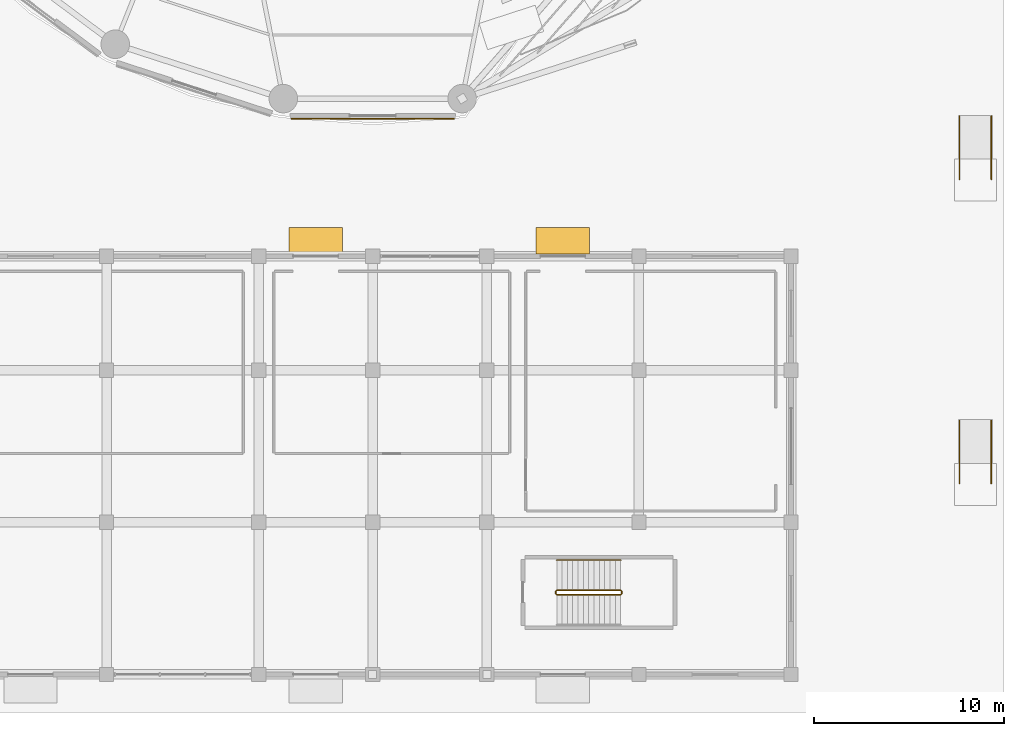
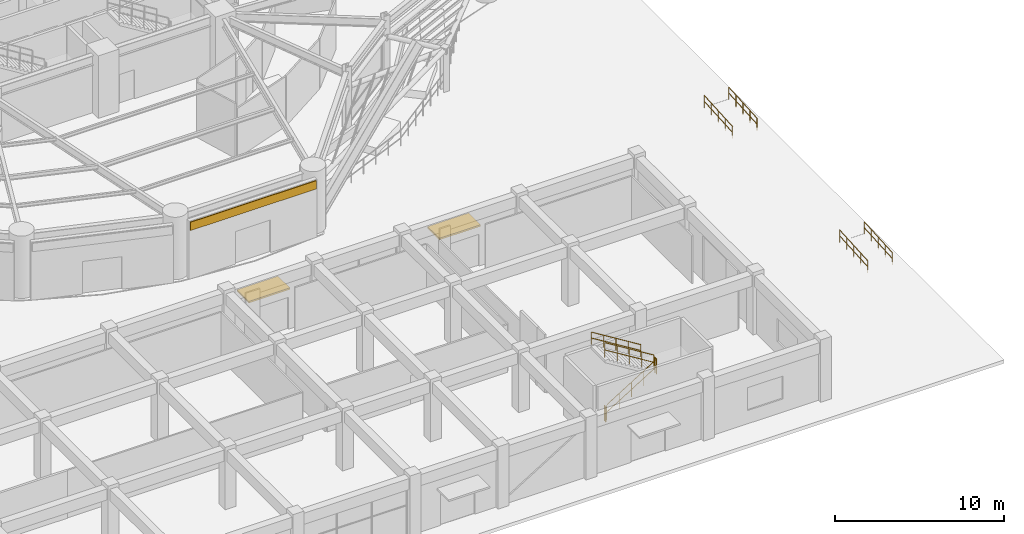
# One storey, part 35 of 40: 9 railings, 2 shading devices, 1 covering.
"""IFC4 building model written with IfcOpenShell, lengths in metres."""

import ifcopenshell
import ifcopenshell.guid

model = None  # the IFC model being written
_history = None  # IfcOwnerHistory: only IFC2X3 demands one
_inside = {}  # id of a spatial element -> (the spatial element, [elements in it])
_under = {}  # id of a project, library or spatial element -> (it, [spatial elements below it])
_declared = {}  # id of a project -> (the project, [libraries it declares])
_typed = {}  # id of a type object -> (the type object, [elements of that type])
_made_of = {}  # id of a material, layer set ... -> (it, [elements and type objects made of it])


def new_model(schema):
    """Start an empty IFC model of exactly this schema.

    Asked for "IFC4X3", IfcOpenShell would pick the latest addendum, in which some entities
    have other attributes; the version numbers below select the first issue.
    IFC2X3 requires an IfcOwnerHistory on every rooted entity: one is made here for all.
    """
    global model, _history
    if schema == "IFC4X3":
        model = ifcopenshell.file(schema_version=(4, 3, 0, 0))
    else:
        model = ifcopenshell.file(schema=schema)
    _inside.clear()
    _under.clear()
    _declared.clear()
    _typed.clear()
    _made_of.clear()
    _history = None
    if model.schema == "IFC2X3":
        org = make("IfcOrganization", Name="unknown")
        user = make(
            "IfcPersonAndOrganization",
            ThePerson=make("IfcPerson", FamilyName="unknown"),
            TheOrganization=org,
        )
        app = make(
            "IfcApplication",
            ApplicationDeveloper=org,
            Version="unknown",
            ApplicationFullName="unknown",
            ApplicationIdentifier="unknown",
        )
        _history = make(
            "IfcOwnerHistory",
            OwningUser=user,
            OwningApplication=app,
            ChangeAction="ADDED",
            CreationDate=0,
        )
    return model


def make(cls, **values):
    """One entity of the class cls with the attributes given. An attribute that is None is left unset."""
    return model.create_entity(
        cls, **{name: value for name, value in values.items() if value is not None}
    )


def rooted(cls, **values):
    """An entity with a GlobalId (a new one), such as an element, a storey or a relation."""
    return make(cls, GlobalId=ifcopenshell.guid.new(), OwnerHistory=_history, **values)


def si_unit(unit_type, name, prefix=None):
    """IfcSIUnit, for example si_unit("LENGTHUNIT", "METRE", prefix="MILLI")."""
    return make("IfcSIUnit", UnitType=unit_type, Prefix=prefix, Name=name)


def assignment(units):
    """IfcUnitAssignment: the units of a project."""
    return None if units is None else make("IfcUnitAssignment", Units=units)


def point(xyz):
    """IfcCartesianPoint."""
    return None if xyz is None else make("IfcCartesianPoint", Coordinates=xyz)


def direction(xyz):
    """IfcDirection."""
    return None if xyz is None else make("IfcDirection", DirectionRatios=xyz)


def frame(location, z_axis=None, x_axis=None):
    """IfcAxis2Placement3D, a coordinate frame: its origin and axes. An axis left out is left unset."""
    return make(
        "IfcAxis2Placement3D",
        Location=point(location),
        Axis=direction(z_axis),
        RefDirection=direction(x_axis),
    )


def frame_2d(location, x_axis=None):
    """IfcAxis2Placement2D, a coordinate frame in the plane: its origin and x axis."""
    return make(
        "IfcAxis2Placement2D", Location=point(location), RefDirection=direction(x_axis)
    )


def origin():
    """The frame at (0, 0, 0) with its axes left unset."""
    return frame((0.0, 0.0, 0.0))


def origin_2d():
    """The frame at (0, 0) in the plane with its x axis left unset."""
    return frame_2d((0.0, 0.0))


def place(relative_to, where):
    """IfcLocalPlacement: puts the frame where relative to a parent placement (None: the world)."""
    return make(
        "IfcLocalPlacement", PlacementRelTo=relative_to, RelativePlacement=where
    )


def context(
    kind, dimensions, precision=None, world=None, true_north=None, identifier=None
):
    """IfcGeometricRepresentationContext, for example the 3D "Model" context."""
    return make(
        "IfcGeometricRepresentationContext",
        ContextIdentifier=identifier,
        ContextType=kind,
        CoordinateSpaceDimension=dimensions,
        Precision=precision,
        WorldCoordinateSystem=world,
        TrueNorth=true_north,
    )


def subcontext(parent, identifier, kind, view, scale=None):
    """IfcGeometricRepresentationSubContext, for example "Body" below "Model"."""
    return make(
        "IfcGeometricRepresentationSubContext",
        ContextIdentifier=identifier,
        ContextType=kind,
        ParentContext=parent,
        TargetScale=scale,
        TargetView=view,
    )


def project(units=None, contexts=None):
    """IfcProject with its units and contexts."""
    return rooted(
        "IfcProject",
        Name="project",
        RepresentationContexts=contexts,
        UnitsInContext=assignment(units),
    )


def spatial(cls, under=None, at=None, **own):
    """A site, building, storey or space (cls), placed at a placement, below another one or the project."""
    s = rooted(cls, ObjectPlacement=at, **own)
    if under is not None:
        _under.setdefault(under.id(), (under, []))[1].append(s)
    return s


def polyline(points):
    """IfcPolyline through the points."""
    return make("IfcPolyline", Points=[point(p) for p in points])


def profile(cls, at=None, kind="AREA", **sizes):
    """A parametric profile (cls). Its sizes go by their IFC names, for example OverallWidth=200.0."""
    return make(cls, ProfileType=kind, Position=at, **sizes)


def rectangle(**sizes):
    """IfcRectangleProfileDef."""
    return profile("IfcRectangleProfileDef", **sizes)


def outline(outer, holes=None, kind="AREA"):
    """IfcArbitraryClosedProfileDef: a profile drawn as a closed curve; with holes, ...WithVoids."""
    if holes is None:
        return make("IfcArbitraryClosedProfileDef", ProfileType=kind, OuterCurve=outer)
    return make(
        "IfcArbitraryProfileDefWithVoids",
        ProfileType=kind,
        OuterCurve=outer,
        InnerCurves=holes,
    )


def extrude(swept, where, along, depth):
    """IfcExtrudedAreaSolid: the profile swept, set in the frame where, extruded along a direction by depth."""
    return make(
        "IfcExtrudedAreaSolid",
        SweptArea=swept,
        Position=where,
        ExtrudedDirection=direction(along),
        Depth=depth,
    )


def shape(context_of_items, identifier, shape_type, items):
    """IfcShapeRepresentation: the items that make up one representation, for example the "Body"."""
    return make(
        "IfcShapeRepresentation",
        ContextOfItems=context_of_items,
        RepresentationIdentifier=identifier,
        RepresentationType=shape_type,
        Items=items,
    )


def source(mapping_origin, context_of_items, identifier, shape_type, items):
    """IfcRepresentationMap: a shape defined once, which mapped items show again and again."""
    return make(
        "IfcRepresentationMap",
        MappingOrigin=mapping_origin,
        MappedRepresentation=shape(context_of_items, identifier, shape_type, items),
    )


def transform(
    local_origin,
    x_axis=None,
    y_axis=None,
    z_axis=None,
    scale=None,
    scale2=None,
    scale3=None,
    uniform=True,
):
    """IfcCartesianTransformationOperator3D, or its non-uniform kind. x_axis, y_axis, z_axis: its Axis1, 2, 3."""
    if uniform:
        return make(
            "IfcCartesianTransformationOperator3D",
            Axis1=direction(x_axis),
            Axis2=direction(y_axis),
            LocalOrigin=point(local_origin),
            Scale=scale,
            Axis3=direction(z_axis),
        )
    return make(
        "IfcCartesianTransformationOperator3DnonUniform",
        Axis1=direction(x_axis),
        Axis2=direction(y_axis),
        LocalOrigin=point(local_origin),
        Scale=scale,
        Axis3=direction(z_axis),
        Scale2=scale2,
        Scale3=scale3,
    )


def mapped(mapping_source, mapping_target):
    """IfcMappedItem: shows the shape of a source again, moved by a transform."""
    return make(
        "IfcMappedItem", MappingSource=mapping_source, MappingTarget=mapping_target
    )


def material(Name=None, Category=None):
    """IfcMaterial."""
    return make("IfcMaterial", Name=Name, Category=Category)


def layer(
    of_material, thickness, ventilated=None, Name=None, Category=None, Priority=None
):
    """IfcMaterialLayer: one layer of a wall or slab, of a material (None: an air gap)."""
    return make(
        "IfcMaterialLayer",
        Material=of_material,
        LayerThickness=thickness,
        IsVentilated=ventilated,
        Name=Name,
        Category=Category,
        Priority=Priority,
    )


def layer_set(layers, Name=None):
    """IfcMaterialLayerSet."""
    return make("IfcMaterialLayerSet", MaterialLayers=layers, LayerSetName=Name)


def made_of(thing, what):
    """Note that an element or type object is made of a material, layer set ...; save() writes the relation."""
    if what is not None:
        _made_of.setdefault(what.id(), (what, []))[1].append(thing)
    return thing


def type_object(cls, material=None, **own):
    """A type object (cls), such as IfcWallType, which elements share."""
    return made_of(rooted(cls, **own), material)


def element(
    cls,
    number,
    at=None,
    inside=None,
    cuts=None,
    type_object=None,
    material=None,
    context=None,
    identifier="Body",
    shape_type=None,
    held_by="IfcProductDefinitionShape",
    body=None,
    shapes=None,
    **own,
):
    """One element of the class cls, such as IfcWall. Its Tag is "e" and its number.

    at: its placement. inside: the storey or other place that contains it. cuts: it is an
    opening in that element (IfcRelVoidsElement). A single representation is given by context,
    identifier, shape_type and body (its items); several are given by shapes. held_by: the class
    of the entity that holds the representations. save() writes the other relations.
    """
    e = rooted(cls, Tag="e%d" % number, ObjectPlacement=at, **own)
    if body is not None:
        shapes = [shape(context, identifier, shape_type, body)]
    if shapes is not None:
        e.Representation = make(held_by, Representations=shapes)
    if inside is not None:
        _inside.setdefault(inside.id(), (inside, []))[1].append(e)
    if cuts is not None:
        rooted(
            "IfcRelVoidsElement", RelatingBuildingElement=cuts, RelatedOpeningElement=e
        )
    if type_object is not None:
        _typed.setdefault(type_object.id(), (type_object, []))[1].append(e)
    return made_of(e, material)


def aggregate(whole, parts):
    """IfcRelAggregates: a whole, such as a stair, and the parts it consists of."""
    return rooted("IfcRelAggregates", RelatingObject=whole, RelatedObjects=parts)


def save(model, path):
    """Write the relations noted so far, then the file.

    IfcRelAggregates (storeys below a building ...), IfcRelContainedInSpatialStructure (elements
    in a storey), IfcRelDefinesByType, IfcRelAssociatesMaterial and IfcRelDeclares: one each for
    every whole, place, type object, material and project.
    """
    for whole, parts in _under.values():
        aggregate(whole, parts)
    for where, things in _inside.values():
        rooted(
            "IfcRelContainedInSpatialStructure",
            RelatedElements=things,
            RelatingStructure=where,
        )
    for kind, things in _typed.values():
        rooted("IfcRelDefinesByType", RelatedObjects=things, RelatingType=kind)
    for what, things in _made_of.values():
        rooted("IfcRelAssociatesMaterial", RelatedObjects=things, RelatingMaterial=what)
    for by, libraries in _declared.values():
        rooted("IfcRelDeclares", RelatingContext=by, RelatedDefinitions=libraries)
    model.write(path)


model = new_model("IFC4")

# Units and contexts
model_context = context("Model", 3, precision=1e-05, world=origin(), true_north=direction((0.0, 1.0)))
body_context = subcontext(model_context, "Body", "Model", "MODEL_VIEW")
ifc_project = project(units=[si_unit("LENGTHUNIT", "METRE"), si_unit("AREAUNIT", "SQUARE_METRE"), si_unit("VOLUMEUNIT", "CUBIC_METRE"), si_unit("PLANEANGLEUNIT", "RADIAN"), si_unit("MASSUNIT", "GRAM", prefix="KILO")], contexts=[model_context])

# Site, building, storey
site_placement = place(None, origin())
site = spatial("IfcSite", under=ifc_project, at=site_placement, CompositionType="ELEMENT")
building_placement = place(site_placement, origin())
building = spatial("IfcBuilding", under=site, at=building_placement, Name="Kelanora Arch Commons", CompositionType="ELEMENT")
storey_placement = place(building_placement, origin())
storey = spatial("IfcBuildingStorey", under=building, at=storey_placement, Name="L00", CompositionType="ELEMENT", Elevation=0.0)

# Railings
ifc_material_1 = material(Name="Painted steel stair well guard", Category="steel")
railing_type_1 = type_object("IfcRailingType", Name="RAIL-STAIR-GRD", PredefinedType="GUARDRAIL", material=ifc_material_1)
railing_1_placement = place(storey_placement, frame((83.679931640625, 8.18994140625, 0.173095703125)))
element("IfcRailing", 1, at=railing_1_placement, inside=storey, type_object=railing_type_1, Name="L00 ST-M2 stair guard 1", PredefinedType="GUARDRAIL", context=body_context, shape_type="SweptSolid", body=[
    extrude(outline(polyline([(0.02392578125, 0.0), (0.011962890625, 0.020751953125), (-0.011962890625, 0.020751953125), (-0.02392578125, 0.0), (-0.011962890625, -0.020751953125), (0.011962890625, -0.020751953125), (0.02392578125, 0.0)])), frame((0.0, 0.0, 1.076171875), z_axis=(0.850623216509, 0.0, 0.525775754039), x_axis=(0.0, 1.0, 0.0)), (0.0, 0.0, 1.0), 3.9501953125),
    extrude(outline(polyline([(0.02392578125, 0.0), (0.011962890625, 0.020751953125), (-0.011962890625, 0.020751953125), (-0.02392578125, 0.0), (-0.011962890625, -0.020751953125), (0.011962890625, -0.020751953125), (0.02392578125, 0.0)])), frame((0.0, 0.0, 0.550048828125), z_axis=(0.850623216509, 0.0, 0.525775754039), x_axis=(0.0, 1.0, 0.0)), (0.0, 0.0, 1.0), 3.9501953125),
    extrude(outline(polyline([(0.02099609375, 0.0), (0.010498046875, 0.01806640625), (-0.010498046875, 0.01806640625), (-0.02099609375, 0.0), (-0.010498046875, -0.01806640625), (0.010498046875, -0.01806640625), (0.02099609375, 0.0)])), origin(), (0.0, 0.0, 1.0), 1.052001953125),
    extrude(outline(polyline([(0.02099609375, 0.0), (0.010498046875, 0.01806640625), (-0.010498046875, 0.01806640625), (-0.02099609375, 0.0), (-0.010498046875, -0.01806640625), (0.010498046875, -0.01806640625), (0.02099609375, 0.0)])), frame((0.840087890625, 0.0, 0.519287109375)), (0.0, 0.0, 1.0), 1.052001953125),
    extrude(outline(polyline([(0.02099609375, 0.0), (0.010498046875, 0.01806640625), (-0.010498046875, 0.01806640625), (-0.02099609375, 0.0), (-0.010498046875, -0.01806640625), (0.010498046875, -0.01806640625), (0.02099609375, 0.0)])), frame((1.68017578125, 0.0, 1.03857421875)), (0.0, 0.0, 1.0), 1.052001953125),
    extrude(outline(polyline([(0.02099609375, 0.0), (0.010498046875, 0.01806640625), (-0.010498046875, 0.01806640625), (-0.02099609375, 0.0), (-0.010498046875, -0.01806640625), (0.010498046875, -0.01806640625), (0.02099609375, 0.0)])), frame((2.52001953125, 0.0, 1.5576171875)), (0.0, 0.0, 1.0), 1.052001953125),
    extrude(outline(polyline([(0.02099609375, 0.0), (0.010498046875, 0.01806640625), (-0.010498046875, 0.01806640625), (-0.02099609375, 0.0), (-0.010498046875, -0.01806640625), (0.010498046875, -0.01806640625), (0.02099609375, 0.0)])), frame((3.360107421875, 0.0, 2.076904296875)), (0.0, 0.0, 1.0), 1.052001953125),
])
railing_2_placement = place(storey_placement, frame((87.090087890625, 8.239990234375, 2.25)))
element("IfcRailing", 2, at=railing_2_placement, inside=storey, type_object=railing_type_1, Name="L00 ST-M2 stair guard 2", PredefinedType="GUARDRAIL", context=body_context, shape_type="SweptSolid", body=[
    extrude(outline(polyline([(0.02392578125, 0.0), (0.011962890625, 0.020751953125), (-0.011962890625, 0.020751953125), (-0.02392578125, 0.0), (-0.011962890625, -0.020751953125), (0.011962890625, -0.020751953125), (0.02392578125, 0.0)])), frame((0.0, 0.0, 1.076171875), z_axis=(0.0, 1.0, 0.0), x_axis=(-1.0, 0.0, 0.0)), (0.0, 0.0, 1.0), 0.14990234375),
    extrude(outline(polyline([(0.02392578125, 0.0), (0.011962890625, 0.020751953125), (-0.011962890625, 0.020751953125), (-0.02392578125, 0.0), (-0.011962890625, -0.020751953125), (0.011962890625, -0.020751953125), (0.02392578125, 0.0)])), frame((0.0, 0.0, 0.550048828125), z_axis=(0.0, 1.0, 0.0), x_axis=(-1.0, 0.0, 0.0)), (0.0, 0.0, 1.0), 0.14990234375),
    extrude(outline(polyline([(0.02099609375, 0.0), (0.010498046875, 0.01806640625), (-0.010498046875, 0.01806640625), (-0.02099609375, 0.0), (-0.010498046875, -0.01806640625), (0.010498046875, -0.01806640625), (0.02099609375, 0.0)])), origin(), (0.0, 0.0, 1.0), 1.052001953125),
    extrude(outline(polyline([(0.02099609375, 0.0), (0.010498046875, 0.01806640625), (-0.010498046875, 0.01806640625), (-0.02099609375, 0.0), (-0.010498046875, -0.01806640625), (0.010498046875, -0.01806640625), (0.02099609375, 0.0)])), frame((0.0, 0.14990234375, 0.0)), (0.0, 0.0, 1.0), 1.052001953125),
])
railing_3_placement = place(storey_placement, frame((87.0400390625, 8.43994140625, 2.423095703125)))
element("IfcRailing", 3, at=railing_3_placement, inside=storey, type_object=railing_type_1, Name="L00 ST-M2 stair guard 3", PredefinedType="GUARDRAIL", context=body_context, shape_type="SweptSolid", body=[
    extrude(outline(polyline([(0.02392578125, 0.0), (0.011962890625, 0.020751953125), (-0.011962890625, 0.020751953125), (-0.02392578125, 0.0), (-0.011962890625, -0.020751953125), (0.011962890625, -0.020751953125), (0.02392578125, 0.0)])), frame((0.0, 0.0, 1.076171875), z_axis=(-0.850623216509, 0.0, 0.525775754039), x_axis=(0.0, -1.0, 0.0)), (0.0, 0.0, 1.0), 3.9501953125),
    extrude(outline(polyline([(0.02392578125, 0.0), (0.011962890625, 0.020751953125), (-0.011962890625, 0.020751953125), (-0.02392578125, 0.0), (-0.011962890625, -0.020751953125), (0.011962890625, -0.020751953125), (0.02392578125, 0.0)])), frame((0.0, 0.0, 0.550048828125), z_axis=(-0.850623216509, 0.0, 0.525775754039), x_axis=(0.0, -1.0, 0.0)), (0.0, 0.0, 1.0), 3.9501953125),
    extrude(outline(polyline([(0.02099609375, 0.0), (0.010498046875, 0.01806640625), (-0.010498046875, 0.01806640625), (-0.02099609375, 0.0), (-0.010498046875, -0.01806640625), (0.010498046875, -0.01806640625), (0.02099609375, 0.0)])), origin(), (0.0, 0.0, 1.0), 1.052001953125),
    extrude(outline(polyline([(0.02099609375, 0.0), (0.010498046875, 0.01806640625), (-0.010498046875, 0.01806640625), (-0.02099609375, 0.0), (-0.010498046875, -0.01806640625), (0.010498046875, -0.01806640625), (0.02099609375, 0.0)])), frame((-0.840087890625, 0.0, 0.519287109375)), (0.0, 0.0, 1.0), 1.052001953125),
    extrude(outline(polyline([(0.02099609375, 0.0), (0.010498046875, 0.01806640625), (-0.010498046875, 0.01806640625), (-0.02099609375, 0.0), (-0.010498046875, -0.01806640625), (0.010498046875, -0.01806640625), (0.02099609375, 0.0)])), frame((-1.68017578125, 0.0, 1.03857421875)), (0.0, 0.0, 1.0), 1.052001953125),
    extrude(outline(polyline([(0.02099609375, 0.0), (0.010498046875, 0.01806640625), (-0.010498046875, 0.01806640625), (-0.02099609375, 0.0), (-0.010498046875, -0.01806640625), (0.010498046875, -0.01806640625), (0.02099609375, 0.0)])), frame((-2.52001953125, 0.0, 1.5576171875)), (0.0, 0.0, 1.0), 1.052001953125),
    extrude(outline(polyline([(0.02099609375, 0.0), (0.010498046875, 0.01806640625), (-0.010498046875, 0.01806640625), (-0.02099609375, 0.0), (-0.010498046875, -0.01806640625), (0.010498046875, -0.01806640625), (0.02099609375, 0.0)])), frame((-3.360107421875, 0.0, 2.076904296875)), (0.0, 0.0, 1.0), 1.052001953125),
])
railing_4_placement = place(storey_placement, frame((83.6298828125, 8.239990234375, 0.0)))
element("IfcRailing", 4, at=railing_4_placement, inside=storey, type_object=railing_type_1, Name="L00 ST-M2 stair guard 4", PredefinedType="GUARDRAIL", context=body_context, shape_type="SweptSolid", body=[
    extrude(outline(polyline([(0.02392578125, 0.0), (0.011962890625, 0.020751953125), (-0.011962890625, 0.020751953125), (-0.02392578125, 0.0), (-0.011962890625, -0.020751953125), (0.011962890625, -0.020751953125), (0.02392578125, 0.0)])), frame((0.0, 0.0, 1.076171875), z_axis=(0.0, 1.0, 0.0), x_axis=(-1.0, 0.0, 0.0)), (0.0, 0.0, 1.0), 0.14990234375),
    extrude(outline(polyline([(0.02392578125, 0.0), (0.011962890625, 0.020751953125), (-0.011962890625, 0.020751953125), (-0.02392578125, 0.0), (-0.011962890625, -0.020751953125), (0.011962890625, -0.020751953125), (0.02392578125, 0.0)])), frame((0.0, 0.0, 0.550048828125), z_axis=(0.0, 1.0, 0.0), x_axis=(-1.0, 0.0, 0.0)), (0.0, 0.0, 1.0), 0.14990234375),
    extrude(outline(polyline([(0.02099609375, 0.0), (0.010498046875, 0.01806640625), (-0.010498046875, 0.01806640625), (-0.02099609375, 0.0), (-0.010498046875, -0.01806640625), (0.010498046875, -0.01806640625), (0.02099609375, 0.0)])), origin(), (0.0, 0.0, 1.0), 1.052001953125),
    extrude(outline(polyline([(0.02099609375, 0.0), (0.010498046875, 0.01806640625), (-0.010498046875, 0.01806640625), (-0.02099609375, 0.0), (-0.010498046875, -0.01806640625), (0.010498046875, -0.01806640625), (0.02099609375, 0.0)])), frame((0.0, 0.14990234375, 0.0)), (0.0, 0.0, 1.0), 1.052001953125),
])
ifc_material_2 = material(Name="Brushed stainless steel stair handrail", Category="steel")
railing_type_2 = type_object("IfcRailingType", Name="RAIL-STAIR-HND", PredefinedType="HANDRAIL", material=ifc_material_2)
railing_5_placement = place(storey_placement, frame((87.0400390625, 10.02001953125, 2.423095703125)))
element("IfcRailing", 5, at=railing_5_placement, inside=storey, type_object=railing_type_2, Name="L00 ST-M2 stair handrail 2", PredefinedType="HANDRAIL", context=body_context, shape_type="SweptSolid", body=[
    extrude(outline(polyline([(0.02392578125, 0.0), (0.011962890625, 0.020751953125), (-0.011962890625, 0.020751953125), (-0.02392578125, 0.0), (-0.011962890625, -0.020751953125), (0.011962890625, -0.020751953125), (0.02392578125, 0.0)])), frame((0.0, 0.0, 0.8759765625), z_axis=(-0.850623216509, 0.0, 0.525775754039), x_axis=(0.0, -1.0, 0.0)), (0.0, 0.0, 1.0), 3.9501953125),
    extrude(outline(polyline([(0.02392578125, 0.0), (0.011962890625, 0.020751953125), (-0.011962890625, 0.020751953125), (-0.02392578125, 0.0), (-0.011962890625, -0.020751953125), (0.011962890625, -0.020751953125), (0.02392578125, 0.0)])), frame((0.0, 0.0, 0.449951171875), z_axis=(-0.850623216509, 0.0, 0.525775754039), x_axis=(0.0, -1.0, 0.0)), (0.0, 0.0, 1.0), 3.9501953125),
    extrude(outline(polyline([(0.02099609375, 0.0), (0.010498046875, 0.01806640625), (-0.010498046875, 0.01806640625), (-0.02099609375, 0.0), (-0.010498046875, -0.01806640625), (0.010498046875, -0.01806640625), (0.02099609375, 0.0)])), origin(), (0.0, 0.0, 1.0), 0.851806640625),
    extrude(outline(polyline([(0.02099609375, 0.0), (0.010498046875, 0.01806640625), (-0.010498046875, 0.01806640625), (-0.02099609375, 0.0), (-0.010498046875, -0.01806640625), (0.010498046875, -0.01806640625), (0.02099609375, 0.0)])), frame((-0.840087890625, 0.0, 0.519287109375)), (0.0, 0.0, 1.0), 0.851806640625),
    extrude(outline(polyline([(0.02099609375, 0.0), (0.010498046875, 0.01806640625), (-0.010498046875, 0.01806640625), (-0.02099609375, 0.0), (-0.010498046875, -0.01806640625), (0.010498046875, -0.01806640625), (0.02099609375, 0.0)])), frame((-1.68017578125, 0.0, 1.03857421875)), (0.0, 0.0, 1.0), 0.851806640625),
    extrude(outline(polyline([(0.02099609375, 0.0), (0.010498046875, 0.01806640625), (-0.010498046875, 0.01806640625), (-0.02099609375, 0.0), (-0.010498046875, -0.01806640625), (0.010498046875, -0.01806640625), (0.02099609375, 0.0)])), frame((-2.52001953125, 0.0, 1.5576171875)), (0.0, 0.0, 1.0), 0.851806640625),
    extrude(outline(polyline([(0.02099609375, 0.0), (0.010498046875, 0.01806640625), (-0.010498046875, 0.01806640625), (-0.02099609375, 0.0), (-0.010498046875, -0.01806640625), (0.010498046875, -0.01806640625), (0.02099609375, 0.0)])), frame((-3.360107421875, 0.0, 2.076904296875)), (0.0, 0.0, 1.0), 0.851806640625),
])
railing_6_placement = place(storey_placement, frame((104.860107421875, 14.0400390625, -0.21728515625)))
element("IfcRailing", 6, at=railing_6_placement, inside=storey, type_object=railing_type_2, Name="Accessible Entrance Ramp Handrail 01-W", PredefinedType="HANDRAIL", context=body_context, shape_type="SweptSolid", body=[
    extrude(outline(polyline([(0.02392578125, 0.0), (0.011962890625, 0.020751953125), (-0.011962890625, 0.020751953125), (-0.02392578125, 0.0), (-0.011962890625, -0.020751953125), (0.011962890625, -0.020751953125), (0.02392578125, 0.0)])), frame((0.0, 0.0, 0.8759765625), z_axis=(0.0, 0.99791754532, 0.064502501826), x_axis=(-1.0, 0.0, 0.0)), (0.0, 0.0, 1.0), 3.326904296875),
    extrude(outline(polyline([(0.02392578125, 0.0), (0.011962890625, 0.020751953125), (-0.011962890625, 0.020751953125), (-0.02392578125, 0.0), (-0.011962890625, -0.020751953125), (0.011962890625, -0.020751953125), (0.02392578125, 0.0)])), frame((0.0, 0.0, 0.449951171875), z_axis=(0.0, 0.99791754532, 0.064502501826), x_axis=(-1.0, 0.0, 0.0)), (0.0, 0.0, 1.0), 3.326904296875),
    extrude(outline(polyline([(0.02099609375, 0.0), (0.010498046875, 0.01806640625), (-0.010498046875, 0.01806640625), (-0.02099609375, 0.0), (-0.010498046875, -0.01806640625), (0.010498046875, -0.01806640625), (0.02099609375, 0.0)])), origin(), (0.0, 0.0, 1.0), 0.851806640625),
    extrude(outline(polyline([(0.02099609375, 0.0), (0.010498046875, 0.01806640625), (-0.010498046875, 0.01806640625), (-0.02099609375, 0.0), (-0.010498046875, -0.01806640625), (0.010498046875, -0.01806640625), (0.02099609375, 0.0)])), frame((0.0, 0.830078125, 0.0537109375)), (0.0, 0.0, 1.0), 0.851806640625),
    extrude(outline(polyline([(0.02099609375, 0.0), (0.010498046875, 0.01806640625), (-0.010498046875, 0.01806640625), (-0.02099609375, 0.0), (-0.010498046875, -0.01806640625), (0.010498046875, -0.01806640625), (0.02099609375, 0.0)])), frame((0.0, 1.66015625, 0.107421875)), (0.0, 0.0, 1.0), 0.851806640625),
    extrude(outline(polyline([(0.02099609375, 0.0), (0.010498046875, 0.01806640625), (-0.010498046875, 0.01806640625), (-0.02099609375, 0.0), (-0.010498046875, -0.01806640625), (0.010498046875, -0.01806640625), (0.02099609375, 0.0)])), frame((0.0, 2.489990234375, 0.160888671875)), (0.0, 0.0, 1.0), 0.851806640625),
    extrude(outline(polyline([(0.02099609375, 0.0), (0.010498046875, 0.01806640625), (-0.010498046875, 0.01806640625), (-0.02099609375, 0.0), (-0.010498046875, -0.01806640625), (0.010498046875, -0.01806640625), (0.02099609375, 0.0)])), frame((0.0, 3.320068359375, 0.214599609375)), (0.0, 0.0, 1.0), 0.851806640625),
])
railing_7_placement = place(storey_placement, frame((106.5400390625, 14.0400390625, -0.21728515625)))
element("IfcRailing", 7, at=railing_7_placement, inside=storey, type_object=railing_type_2, Name="Accessible Entrance Ramp Handrail 01-E", PredefinedType="HANDRAIL", context=body_context, shape_type="SweptSolid", body=[
    extrude(outline(polyline([(0.02392578125, 0.0), (0.011962890625, 0.020751953125), (-0.011962890625, 0.020751953125), (-0.02392578125, 0.0), (-0.011962890625, -0.020751953125), (0.011962890625, -0.020751953125), (0.02392578125, 0.0)])), frame((0.0, 0.0, 0.8759765625), z_axis=(0.0, 0.99791754532, 0.064502501826), x_axis=(-1.0, 0.0, 0.0)), (0.0, 0.0, 1.0), 3.326904296875),
    extrude(outline(polyline([(0.02392578125, 0.0), (0.011962890625, 0.020751953125), (-0.011962890625, 0.020751953125), (-0.02392578125, 0.0), (-0.011962890625, -0.020751953125), (0.011962890625, -0.020751953125), (0.02392578125, 0.0)])), frame((0.0, 0.0, 0.449951171875), z_axis=(0.0, 0.99791754532, 0.064502501826), x_axis=(-1.0, 0.0, 0.0)), (0.0, 0.0, 1.0), 3.326904296875),
    extrude(outline(polyline([(0.02099609375, 0.0), (0.010498046875, 0.01806640625), (-0.010498046875, 0.01806640625), (-0.02099609375, 0.0), (-0.010498046875, -0.01806640625), (0.010498046875, -0.01806640625), (0.02099609375, 0.0)])), origin(), (0.0, 0.0, 1.0), 0.851806640625),
    extrude(outline(polyline([(0.02099609375, 0.0), (0.010498046875, 0.01806640625), (-0.010498046875, 0.01806640625), (-0.02099609375, 0.0), (-0.010498046875, -0.01806640625), (0.010498046875, -0.01806640625), (0.02099609375, 0.0)])), frame((0.0, 0.830078125, 0.0537109375)), (0.0, 0.0, 1.0), 0.851806640625),
    extrude(outline(polyline([(0.02099609375, 0.0), (0.010498046875, 0.01806640625), (-0.010498046875, 0.01806640625), (-0.02099609375, 0.0), (-0.010498046875, -0.01806640625), (0.010498046875, -0.01806640625), (0.02099609375, 0.0)])), frame((0.0, 1.66015625, 0.107421875)), (0.0, 0.0, 1.0), 0.851806640625),
    extrude(outline(polyline([(0.02099609375, 0.0), (0.010498046875, 0.01806640625), (-0.010498046875, 0.01806640625), (-0.02099609375, 0.0), (-0.010498046875, -0.01806640625), (0.010498046875, -0.01806640625), (0.02099609375, 0.0)])), frame((0.0, 2.489990234375, 0.160888671875)), (0.0, 0.0, 1.0), 0.851806640625),
    extrude(outline(polyline([(0.02099609375, 0.0), (0.010498046875, 0.01806640625), (-0.010498046875, 0.01806640625), (-0.02099609375, 0.0), (-0.010498046875, -0.01806640625), (0.010498046875, -0.01806640625), (0.02099609375, 0.0)])), frame((0.0, 3.320068359375, 0.214599609375)), (0.0, 0.0, 1.0), 0.851806640625),
])
railing_8_placement = place(storey_placement, frame((104.860107421875, 30.0400390625, -0.21728515625)))
element("IfcRailing", 8, at=railing_8_placement, inside=storey, type_object=railing_type_2, Name="Accessible Entrance Ramp Handrail 02-W", PredefinedType="HANDRAIL", context=body_context, shape_type="SweptSolid", body=[
    extrude(outline(polyline([(0.02392578125, 0.0), (0.011962890625, 0.020751953125), (-0.011962890625, 0.020751953125), (-0.02392578125, 0.0), (-0.011962890625, -0.020751953125), (0.011962890625, -0.020751953125), (0.02392578125, 0.0)])), frame((0.0, 0.0, 0.8759765625), z_axis=(0.0, 0.99791754532, 0.064502501826), x_axis=(-1.0, 0.0, 0.0)), (0.0, 0.0, 1.0), 3.326904296875),
    extrude(outline(polyline([(0.02392578125, 0.0), (0.011962890625, 0.020751953125), (-0.011962890625, 0.020751953125), (-0.02392578125, 0.0), (-0.011962890625, -0.020751953125), (0.011962890625, -0.020751953125), (0.02392578125, 0.0)])), frame((0.0, 0.0, 0.449951171875), z_axis=(0.0, 0.99791754532, 0.064502501826), x_axis=(-1.0, 0.0, 0.0)), (0.0, 0.0, 1.0), 3.326904296875),
    extrude(outline(polyline([(0.02099609375, 0.0), (0.010498046875, 0.01806640625), (-0.010498046875, 0.01806640625), (-0.02099609375, 0.0), (-0.010498046875, -0.01806640625), (0.010498046875, -0.01806640625), (0.02099609375, 0.0)])), origin(), (0.0, 0.0, 1.0), 0.851806640625),
    extrude(outline(polyline([(0.02099609375, 0.0), (0.010498046875, 0.01806640625), (-0.010498046875, 0.01806640625), (-0.02099609375, 0.0), (-0.010498046875, -0.01806640625), (0.010498046875, -0.01806640625), (0.02099609375, 0.0)])), frame((0.0, 0.830078125, 0.0537109375)), (0.0, 0.0, 1.0), 0.851806640625),
    extrude(outline(polyline([(0.02099609375, 0.0), (0.010498046875, 0.01806640625), (-0.010498046875, 0.01806640625), (-0.02099609375, 0.0), (-0.010498046875, -0.01806640625), (0.010498046875, -0.01806640625), (0.02099609375, 0.0)])), frame((0.0, 1.66015625, 0.107421875)), (0.0, 0.0, 1.0), 0.851806640625),
    extrude(outline(polyline([(0.02099609375, 0.0), (0.010498046875, 0.01806640625), (-0.010498046875, 0.01806640625), (-0.02099609375, 0.0), (-0.010498046875, -0.01806640625), (0.010498046875, -0.01806640625), (0.02099609375, 0.0)])), frame((0.0, 2.489990234375, 0.160888671875)), (0.0, 0.0, 1.0), 0.851806640625),
    extrude(outline(polyline([(0.02099609375, 0.0), (0.010498046875, 0.01806640625), (-0.010498046875, 0.01806640625), (-0.02099609375, 0.0), (-0.010498046875, -0.01806640625), (0.010498046875, -0.01806640625), (0.02099609375, 0.0)])), frame((0.0, 3.320068359375, 0.214599609375)), (0.0, 0.0, 1.0), 0.851806640625),
])
railing_9_placement = place(storey_placement, frame((106.5400390625, 30.0400390625, -0.21728515625)))
element("IfcRailing", 9, at=railing_9_placement, inside=storey, type_object=railing_type_2, Name="Accessible Entrance Ramp Handrail 02-E", PredefinedType="HANDRAIL", context=body_context, shape_type="SweptSolid", body=[
    extrude(outline(polyline([(0.02392578125, 0.0), (0.011962890625, 0.020751953125), (-0.011962890625, 0.020751953125), (-0.02392578125, 0.0), (-0.011962890625, -0.020751953125), (0.011962890625, -0.020751953125), (0.02392578125, 0.0)])), frame((0.0, 0.0, 0.8759765625), z_axis=(0.0, 0.99791754532, 0.064502501826), x_axis=(-1.0, 0.0, 0.0)), (0.0, 0.0, 1.0), 3.326904296875),
    extrude(outline(polyline([(0.02392578125, 0.0), (0.011962890625, 0.020751953125), (-0.011962890625, 0.020751953125), (-0.02392578125, 0.0), (-0.011962890625, -0.020751953125), (0.011962890625, -0.020751953125), (0.02392578125, 0.0)])), frame((0.0, 0.0, 0.449951171875), z_axis=(0.0, 0.99791754532, 0.064502501826), x_axis=(-1.0, 0.0, 0.0)), (0.0, 0.0, 1.0), 3.326904296875),
    extrude(outline(polyline([(0.02099609375, 0.0), (0.010498046875, 0.01806640625), (-0.010498046875, 0.01806640625), (-0.02099609375, 0.0), (-0.010498046875, -0.01806640625), (0.010498046875, -0.01806640625), (0.02099609375, 0.0)])), origin(), (0.0, 0.0, 1.0), 0.851806640625),
    extrude(outline(polyline([(0.02099609375, 0.0), (0.010498046875, 0.01806640625), (-0.010498046875, 0.01806640625), (-0.02099609375, 0.0), (-0.010498046875, -0.01806640625), (0.010498046875, -0.01806640625), (0.02099609375, 0.0)])), frame((0.0, 0.830078125, 0.0537109375)), (0.0, 0.0, 1.0), 0.851806640625),
    extrude(outline(polyline([(0.02099609375, 0.0), (0.010498046875, 0.01806640625), (-0.010498046875, 0.01806640625), (-0.02099609375, 0.0), (-0.010498046875, -0.01806640625), (0.010498046875, -0.01806640625), (0.02099609375, 0.0)])), frame((0.0, 1.66015625, 0.107421875)), (0.0, 0.0, 1.0), 0.851806640625),
    extrude(outline(polyline([(0.02099609375, 0.0), (0.010498046875, 0.01806640625), (-0.010498046875, 0.01806640625), (-0.02099609375, 0.0), (-0.010498046875, -0.01806640625), (0.010498046875, -0.01806640625), (0.02099609375, 0.0)])), frame((0.0, 2.489990234375, 0.160888671875)), (0.0, 0.0, 1.0), 0.851806640625),
    extrude(outline(polyline([(0.02099609375, 0.0), (0.010498046875, 0.01806640625), (-0.010498046875, 0.01806640625), (-0.02099609375, 0.0), (-0.010498046875, -0.01806640625), (0.010498046875, -0.01806640625), (0.02099609375, 0.0)])), frame((0.0, 3.320068359375, 0.214599609375)), (0.0, 0.0, 1.0), 0.851806640625),
])

# Covering
ifc_material_3 = material(Name="Glazed architectural terracotta spandrel cladding", Category="masonry")
ifc_layer = layer(ifc_material_3, 0.06005859375)
ifc_layer_set = layer_set([ifc_layer], Name="Glazed architectural terracotta spandrel cladding")
covering_type = type_object("IfcCoveringType", Name="COV-CLAD-TC", PredefinedType="CLADDING", material=ifc_layer_set)
shared_shape_1 = source(origin(), body_context, "Body", "SweptSolid", [
    extrude(rectangle(XDim=8.591796875, YDim=0.06005859375, at=origin_2d()), origin(), (0.0, 0.0, 1.0), 0.60009765625),
])
covering_placement = place(storey_placement, frame((74.0, 33.2216796875, 3.534912109375), z_axis=(0.0, 0.0, 1.0), x_axis=(1.0, 0.0, 0.0)))
element("IfcCovering", 10, at=covering_placement, inside=storey, type_object=covering_type, Name="Terracotta Spandrel Cladding L00-B13", PredefinedType="CLADDING", context=body_context, shape_type="MappedRepresentation", body=[
    mapped(shared_shape_1, transform((0.0, 0.0, 0.0), scale=1.0)),
])

# Shading devices
ifc_material_4 = material(Name="Terracotta-bronze aluminium monsoon canopy louvre", Category="masonry")
shading_device_type = type_object("IfcShadingDeviceType", Name="SHD-SUN-MKT", PredefinedType="AWNING", material=ifc_material_4)
shared_shape_2 = source(origin(), body_context, "Body", "SweptSolid", [
    extrude(rectangle(XDim=2.800048828125, YDim=1.39990234375, at=origin_2d()), origin(), (0.0, 0.0, 1.0), 0.1201171875),
])
for number, where, z_axis, x_axis, name in (
    (11, (84.0, 26.81005859375, 2.639892578125), (0.0, 0.0, 1.0), (-1.0, 0.0, 0.0), "Market Entrance Monsoon Canopy 16"),
    (12, (71.0, 26.81005859375, 2.639892578125), (0.0, 0.0, 1.0), (-1.0, 0.0, 0.0), "Market Entrance Monsoon Canopy 18"),
):
    element("IfcShadingDevice", number, at=place(storey_placement, frame(where, z_axis=z_axis, x_axis=x_axis)), inside=storey, type_object=shading_device_type, Name=name, PredefinedType="AWNING", context=body_context, shape_type="MappedRepresentation", body=[
        mapped(shared_shape_2, transform((0.0, 0.0, 0.0), scale=1.0)),
    ])

save(model, "model.ifc")
